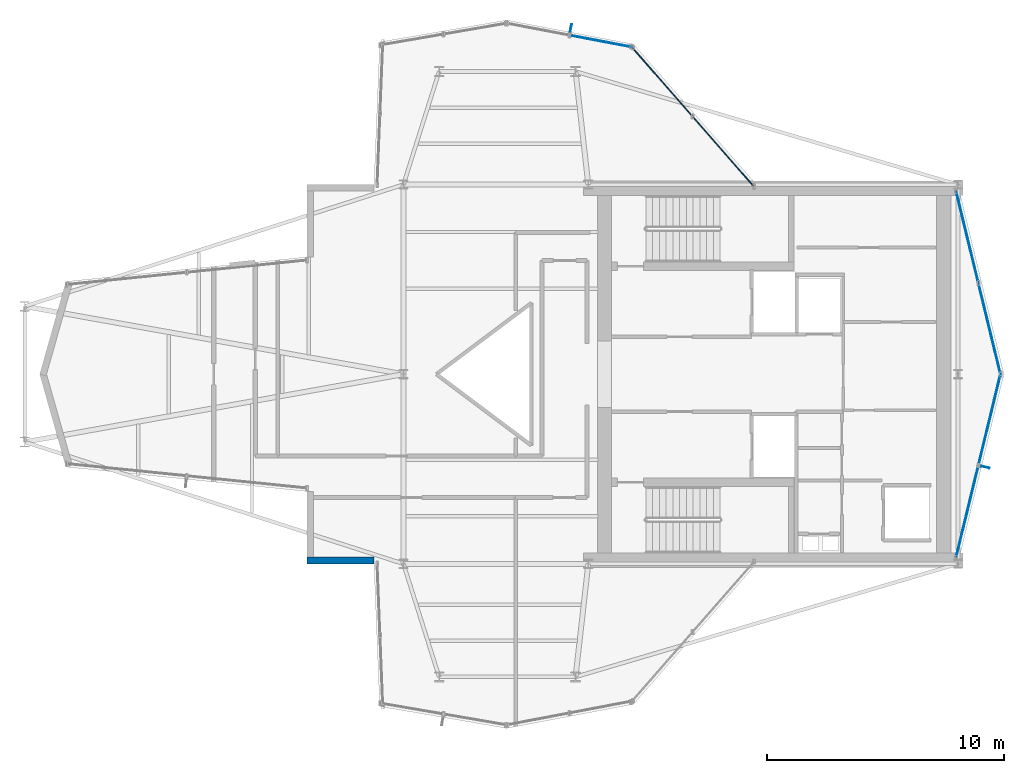
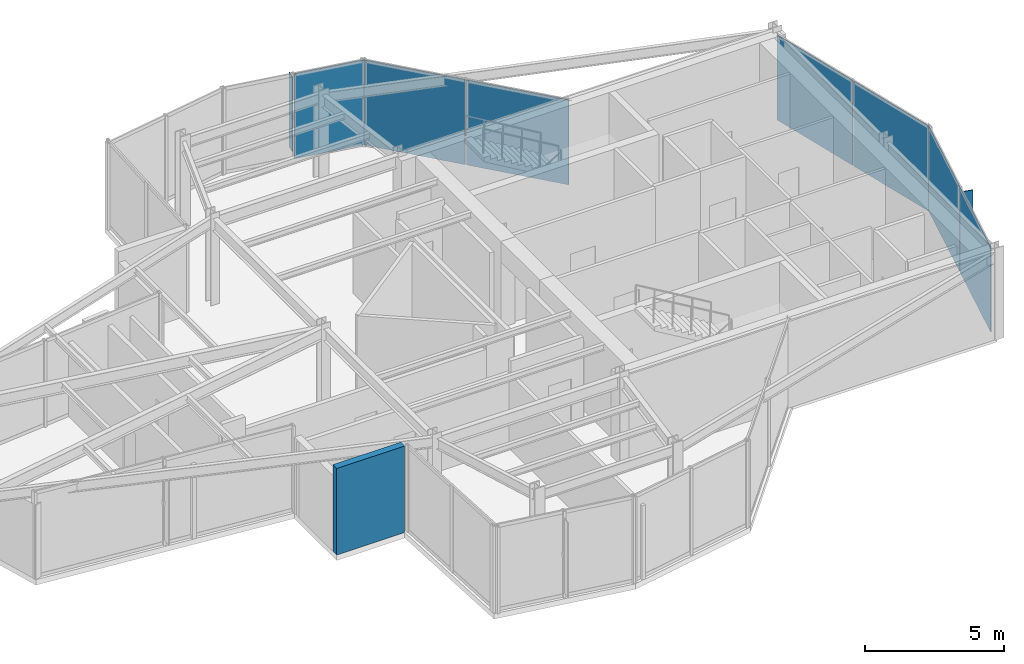
# One storey, part 11 of 14: 9 plates, 1 wall, 4 elements without a shape of their own.
"""IFC4 building model written with IfcOpenShell, lengths in metres."""

from ifc_helpers import new_model, si_unit, direction, frame, frame_2d, origin, origin_2d, place, context, subcontext, project, spatial, rectangle, extrude, material, layer, layer_set, type_object, element, aggregate, save


model = new_model("IFC4")

# Units and contexts
model_context = context("Model", 3, precision=1e-05, world=origin(), true_north=direction((0.0, 1.0)))
body_context = subcontext(model_context, "Body", "Model", "MODEL_VIEW")
ifc_project = project(units=[si_unit("LENGTHUNIT", "METRE"), si_unit("AREAUNIT", "SQUARE_METRE"), si_unit("VOLUMEUNIT", "CUBIC_METRE"), si_unit("PLANEANGLEUNIT", "RADIAN"), si_unit("MASSUNIT", "GRAM", prefix="KILO")], contexts=[model_context])

# Site, building, storey
site_placement = place(None, origin())
site = spatial("IfcSite", under=ifc_project, at=site_placement, CompositionType="ELEMENT")
building_placement = place(site_placement, origin())
building = spatial("IfcBuilding", under=site, at=building_placement, Name="Veymaron Broadcast Tower", CompositionType="ELEMENT")
storey_placement = place(building_placement, frame((0.0, 0.0, 270.89990234375)))
storey = spatial("IfcBuildingStorey", under=building, at=storey_placement, Name="L63", CompositionType="ELEMENT", Elevation=270.89990234375)

# Curtain wall, plates
ifc_material_1 = material(Name="Anodised aluminium AA 6063-T6 and laminated low-E dark glass", Category="aluminium")
ifc_layer_1 = layer(ifc_material_1, 0.179931640625)
ifc_layer_set_1 = layer_set([ifc_layer_1], Name="Anodised aluminium AA 6063-T6 and laminated low-E dark glass")
curtain_wall_type = type_object("IfcCurtainWallType", Name="CW-SYS-06", PredefinedType="NOTDEFINED", material=ifc_layer_set_1)
curtain_wall_1_placement = place(storey_placement, origin())
curtain_wall_1 = element("IfcCurtainWall", 1, at=curtain_wall_1_placement, inside=storey, type_object=curtain_wall_type, Name="L63 dark-glass curtain wall CW-L63-E2-1", PredefinedType="NOTDEFINED")
ifc_material_2 = material(Name="Insulated dark-anodised aluminium spandrel panel 40 mm", Category="aluminium")
ifc_layer_2 = layer(ifc_material_2, 0.0400390625)
ifc_layer_set_2 = layer_set([ifc_layer_2], Name="Insulated dark-anodised aluminium spandrel panel 40 mm")
plate_type_1 = type_object("IfcPlateType", Name="CW-PNL-03", PredefinedType="CURTAIN_PANEL", material=ifc_layer_set_2)
plate_1_placement = place(storey_placement, frame((54.99169921875, 18.20849609375, 0.0400390625), z_axis=(0.0, 0.0, 1.0), x_axis=(0.235701883419, 0.971825407238, 0.0)))
plate_1 = element("IfcPlate", 2, at=plate_1_placement, type_object=plate_type_1, Name="CW-L63-E2-1 unitised curtain panel 0", PredefinedType="CURTAIN_PANEL", context=body_context, shape_type="SweptSolid", body=[
    extrude(rectangle(XDim=3.935546875, YDim=0.0400390625, at=origin_2d()), origin(), (0.0, 0.0, 1.0), 3.72998046875),
])
plate_2_placement = place(storey_placement, frame((55.933349609375, 22.091552734375, 0.0400390625), z_axis=(0.0, 0.0, 1.0), x_axis=(0.235701883419, 0.971825407238, 0.0)))
plate_2 = element("IfcPlate", 3, at=plate_2_placement, type_object=plate_type_1, Name="CW-L63-E2-1 unitised curtain panel 1", PredefinedType="CURTAIN_PANEL", context=body_context, shape_type="SweptSolid", body=[
    extrude(rectangle(XDim=3.935546875, YDim=0.0400390625, at=origin_2d()), origin(), (0.0, 0.0, 1.0), 3.72998046875),
])
aggregate(curtain_wall_1, [plate_1, plate_2])

curtain_wall_2_placement = place(storey_placement, origin())
curtain_wall_2 = element("IfcCurtainWall", 4, at=curtain_wall_2_placement, inside=storey, type_object=curtain_wall_type, Name="L63 dark-glass curtain wall CW-L63-E3-1", PredefinedType="NOTDEFINED")
plate_3_placement = place(storey_placement, frame((55.933349609375, 25.908447265625, 0.0400390625), z_axis=(0.0, 0.0, 1.0), x_axis=(-0.235701883419, 0.971825407238, 0.0)))
plate_3 = element("IfcPlate", 5, at=plate_3_placement, type_object=plate_type_1, Name="CW-L63-E3-1 unitised curtain panel 0", PredefinedType="CURTAIN_PANEL", context=body_context, shape_type="SweptSolid", body=[
    extrude(rectangle(XDim=3.935546875, YDim=0.0400390625, at=origin_2d()), origin(), (0.0, 0.0, 1.0), 3.72998046875),
])
plate_4_placement = place(storey_placement, frame((54.99169921875, 29.79150390625, 0.0400390625), z_axis=(0.0, 0.0, 1.0), x_axis=(-0.235701883419, 0.971825407238, 0.0)))
plate_4 = element("IfcPlate", 6, at=plate_4_placement, type_object=plate_type_1, Name="CW-L63-E3-1 unitised curtain panel 1", PredefinedType="CURTAIN_PANEL", context=body_context, shape_type="SweptSolid", body=[
    extrude(rectangle(XDim=3.935546875, YDim=0.0400390625, at=origin_2d()), origin(), (0.0, 0.0, 1.0), 3.72998046875),
])
aggregate(curtain_wall_2, [plate_3, plate_4])

curtain_wall_3_placement = place(storey_placement, origin())
curtain_wall_3 = element("IfcCurtainWall", 7, at=curtain_wall_3_placement, inside=storey, type_object=curtain_wall_type, Name="L63 dark-glass curtain wall CW-L63-E5-1", PredefinedType="NOTDEFINED")
plate_5_placement = place(storey_placement, frame((44.697509765625, 33.389892578125, 0.0400390625), z_axis=(0.0, 0.0, 1.0), x_axis=(-0.658558128912, 0.752529860433, 0.0)))
plate_5 = element("IfcPlate", 8, at=plate_5_placement, type_object=plate_type_1, Name="CW-L63-E5-1 unitised curtain panel 0", PredefinedType="CURTAIN_PANEL", context=body_context, shape_type="SweptSolid", body=[
    extrude(rectangle(XDim=3.87939453125, YDim=0.0400390625, at=origin_2d()), origin(), (0.0, 0.0, 1.0), 3.72998046875),
])
plate_6_placement = place(storey_placement, frame((42.10302734375, 36.3544921875, 0.0400390625), z_axis=(0.0, 0.0, 1.0), x_axis=(-0.658558128912, 0.752529860433, 0.0)))
plate_6 = element("IfcPlate", 9, at=plate_6_placement, type_object=plate_type_1, Name="CW-L63-E5-1 unitised curtain panel 1", PredefinedType="CURTAIN_PANEL", context=body_context, shape_type="SweptSolid", body=[
    extrude(rectangle(XDim=3.87939453125, YDim=0.0400390625, at=origin_2d()), origin(), (0.0, 0.0, 1.0), 3.72998046875),
])
aggregate(curtain_wall_3, [plate_5, plate_6])

# Curtain wall, plate
curtain_wall_4_placement = place(storey_placement, origin())
curtain_wall_4 = element("IfcCurtainWall", 10, at=curtain_wall_4_placement, inside=storey, type_object=curtain_wall_type, Name="L63 dark-glass curtain wall CW-L63-E6-1", PredefinedType="NOTDEFINED")
plate_7_placement = place(storey_placement, frame((39.545654296875, 38.04541015625, 0.0400390625), z_axis=(0.0, 0.0, 1.0), x_axis=(-0.982479684732, 0.186369710761, 0.0)))
plate_7 = element("IfcPlate", 11, at=plate_7_placement, type_object=plate_type_1, Name="CW-L63-E6-1 unitised curtain panel 0", PredefinedType="CURTAIN_PANEL", context=body_context, shape_type="SweptSolid", body=[
    extrude(rectangle(XDim=2.6669921875, YDim=0.0400390625, at=origin_2d()), origin(), (0.0, 0.0, 1.0), 3.72998046875),
])
aggregate(curtain_wall_4, [plate_7])

# Plates
ifc_material_3 = material(Name="Dark-anodised aluminium AA 6061-T6", Category="aluminium")
ifc_layer_3 = layer(ifc_material_3, 0.030029296875)
ifc_layer_set_3 = layer_set([ifc_layer_3], Name="Dark-anodised aluminium AA 6061-T6")
plate_type_2 = type_object("IfcPlateType", Name="FIN-CHEV-02", PredefinedType="USERDEFINED", material=ifc_layer_set_3)
for number, where, z_axis, x_axis, name in (
    (12, (55.7587890625, 20.078125, 0.2666015625), (0.0, 0.0, 1.0), (0.971825407238, -0.235701883419, 0.0), "CW-L63-E2-1 chevron fin 1"),
    (13, (38.262939453125, 38.59912109375, 0.2666015625), (0.0, 0.0, 1.0), (0.186369710761, 0.982479684732, 0.0), "CW-L63-E6-1 chevron fin 1"),
):
    element("IfcPlate", number, at=place(storey_placement, frame(where, z_axis=z_axis, x_axis=x_axis)), inside=storey, type_object=plate_type_2, Name=name, ObjectType="FIN", PredefinedType="USERDEFINED", context=body_context, shape_type="SweptSolid", body=[
        extrude(rectangle(XDim=0.35009765625, YDim=0.034912109375, at=origin_2d()), origin(), (0.0, 0.0, 1.0), 3.276611328125),
    ])

# Wall
ifc_material_4 = material(Name="Precast concrete C40/50", Category="concrete")
ifc_layer_4 = layer(ifc_material_4, 0.280029296875)
ifc_layer_set_4 = layer_set([ifc_layer_4], Name="Precast concrete C40/50")
wall_type = type_object("IfcWallType", Name="WALL-EXT-280", PredefinedType="STANDARD", material=ifc_layer_set_4)
wall_placement = place(storey_placement, frame((27.12158203125, 16.139892578125, 0.0), z_axis=(0.0, 0.0, 1.0), x_axis=(1.0, 0.0, 0.0)))
element("IfcWall", 14, at=wall_placement, inside=storey, type_object=wall_type, Name="L63 notched corner facade pier 16-1", PredefinedType="STANDARD", context=body_context, shape_type="SweptSolid", body=[
    extrude(rectangle(XDim=2.83203125, YDim=0.280029296875, at=frame_2d((1.416015625, 0.0))), origin(), (0.0, 0.0, 1.0), 3.81005859375),
])

save(model, "model.ifc")
